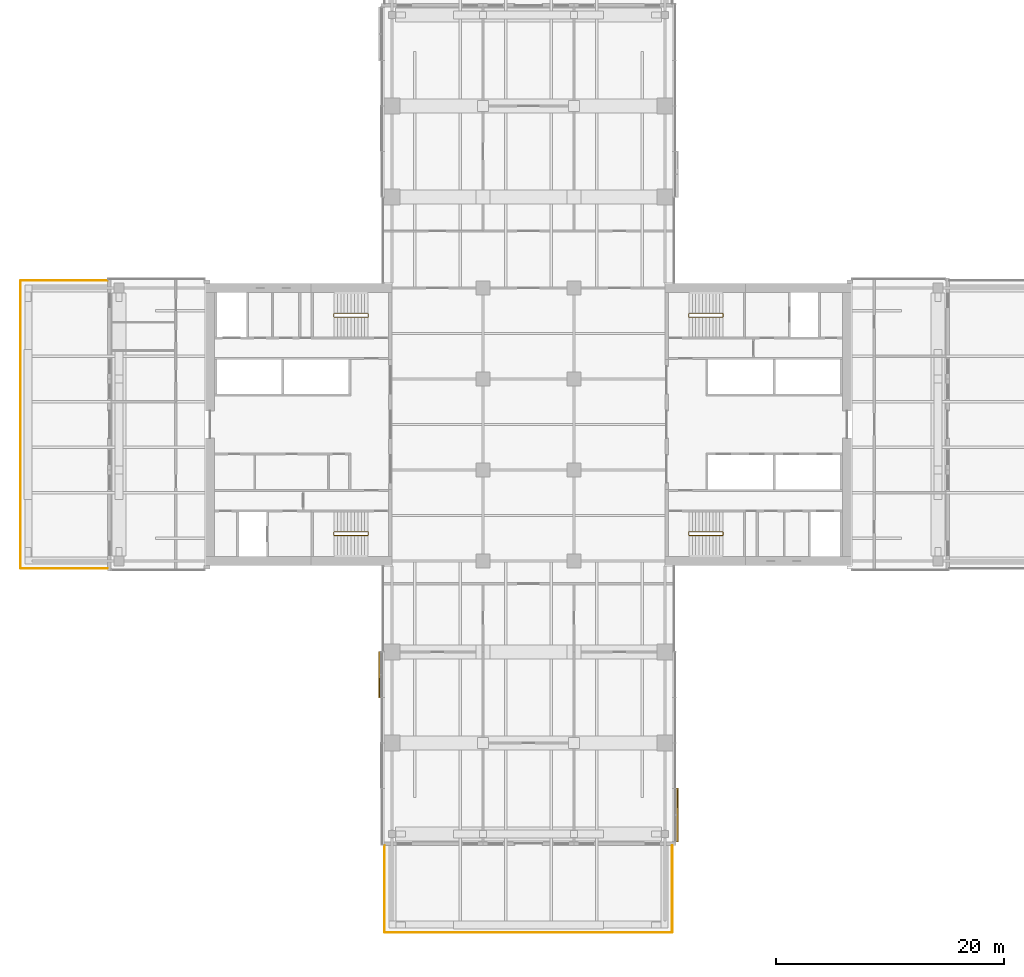
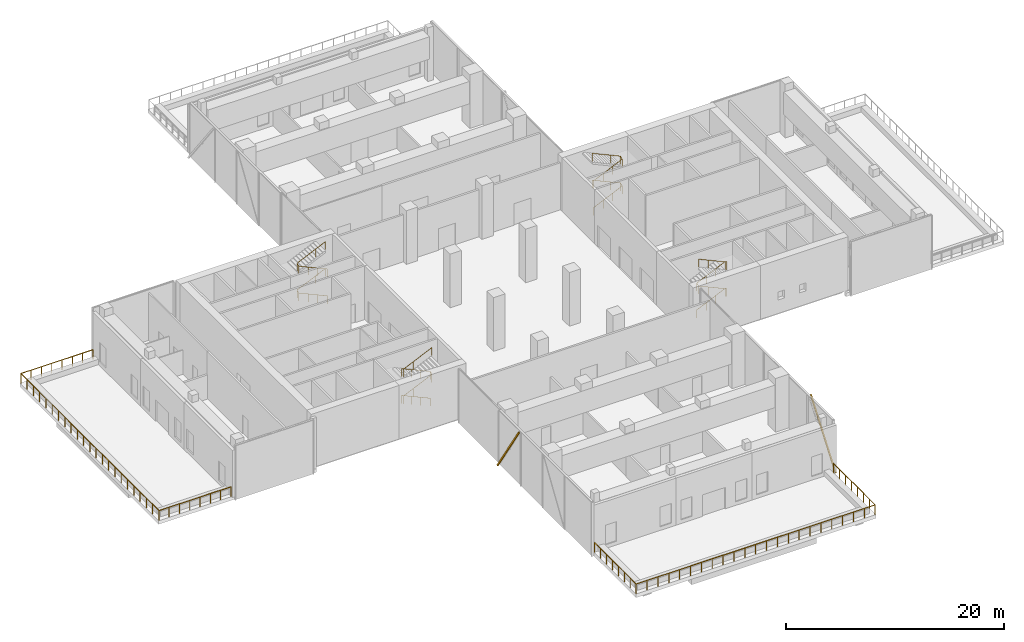
# One storey, part 22 of 23: 6 railings, 2 shading devices, 2 elements without a shape of their own.
"""IFC4 building model written with IfcOpenShell, lengths in metres."""

from ifc_helpers import new_model, si_unit, direction, frame, origin, origin_2d, place, context, subcontext, project, spatial, rectangle, circle, extrude, material, material_profile, profile_set, type_object, element, aggregate, save


model = new_model("IFC4")

# Units and contexts
model_context = context("Model", 3, precision=1e-05, world=origin(), true_north=direction((0.0, 1.0)))
body_context = subcontext(model_context, "Body", "Model", "MODEL_VIEW")
ifc_project = project(units=[si_unit("LENGTHUNIT", "METRE"), si_unit("AREAUNIT", "SQUARE_METRE"), si_unit("VOLUMEUNIT", "CUBIC_METRE"), si_unit("PLANEANGLEUNIT", "RADIAN"), si_unit("MASSUNIT", "GRAM", prefix="KILO")], contexts=[model_context])

# Site, building, storey
site_placement = place(None, origin())
site = spatial("IfcSite", under=ifc_project, at=site_placement, CompositionType="ELEMENT")
building_placement = place(site_placement, origin())
building = spatial("IfcBuilding", under=site, at=building_placement, Name="Crosswind Convention Tower", CompositionType="ELEMENT")
storey_placement = place(building_placement, frame((0.0, 0.0, 47.5)))
storey = spatial("IfcBuildingStorey", under=building, at=storey_placement, Name="L06", CompositionType="ELEMENT", Elevation=47.5)

# Railings
ifc_material_1 = material(Name="Stainless steel", Category="steel")
railing_type_1 = type_object("IfcRailingType", Name="Stair handrail 900", PredefinedType="HANDRAIL", material=ifc_material_1)
railing_1_placement = place(storey_placement, frame((139.10009765625, 109.43994140625, 0.136474609375)))
element("IfcRailing", 1, at=railing_1_placement, inside=storey, type_object=railing_type_1, Name="Stair ST1 handrail L06", PredefinedType="HANDRAIL", context=body_context, shape_type="SweptSolid", body=[
    extrude(circle(Radius=0.02392578125, at=origin_2d()), frame((0.0, 0.0, 0.8759765625), z_axis=(0.910379163139, 0.0, 0.413775034678), x_axis=(0.0, 1.0, 0.0)), (0.0, 0.0, 1.0), 3.29541015625),
    extrude(circle(Radius=0.02392578125, at=origin_2d()), frame((3.0, 0.0, 2.2392578125), z_axis=(0.0, 0.919869319323, 0.39222498055), x_axis=(-1.0, 0.0, 0.0)), (0.0, 0.0, 1.0), 0.347900390625),
    extrude(circle(Radius=0.02392578125, at=origin_2d()), frame((3.0, 0.320068359375, 2.3759765625), z_axis=(-0.910379163139, 0.0, 0.413775034678), x_axis=(0.0, -1.0, 0.0)), (0.0, 0.0, 1.0), 3.29541015625),
    extrude(circle(Radius=0.02392578125, at=origin_2d()), frame((0.0, 0.320068359375, 3.7392578125), z_axis=(0.0, -0.919869319323, 0.39222498055), x_axis=(1.0, 0.0, 0.0)), (0.0, 0.0, 1.0), 0.347900390625),
    extrude(circle(Radius=0.02392578125, at=origin_2d()), frame((0.0, 0.0, 3.8759765625), z_axis=(0.910379163139, 0.0, 0.413775034678), x_axis=(0.0, 1.0, 0.0)), (0.0, 0.0, 1.0), 3.29541015625),
    extrude(circle(Radius=0.02392578125, at=origin_2d()), frame((3.0, 0.0, 5.2392578125), z_axis=(0.0, 0.919869319323, 0.39222498055), x_axis=(-1.0, 0.0, 0.0)), (0.0, 0.0, 1.0), 0.347900390625),
    extrude(circle(Radius=0.02392578125, at=origin_2d()), frame((3.0, 0.320068359375, 5.3759765625), z_axis=(-0.910379163139, 0.0, 0.413775034678), x_axis=(0.0, -1.0, 0.0)), (0.0, 0.0, 1.0), 3.29541015625),
    extrude(circle(Radius=0.02099609375, at=origin_2d()), origin(), (0.0, 0.0, 1.0), 0.851806640625),
    extrude(circle(Radius=0.02099609375, at=origin_2d()), frame((1.0, 0.0, 0.45458984375)), (0.0, 0.0, 1.0), 0.851806640625),
    extrude(circle(Radius=0.02099609375, at=origin_2d()), frame((2.0, 0.0, 0.908935546875)), (0.0, 0.0, 1.0), 0.851806640625),
    extrude(circle(Radius=0.02099609375, at=origin_2d()), frame((3.0, 0.0, 1.363525390625)), (0.0, 0.0, 1.0), 0.851806640625),
    extrude(circle(Radius=0.02099609375, at=origin_2d()), frame((3.0, 0.320068359375, 1.5)), (0.0, 0.0, 1.0), 0.851806640625),
    extrude(circle(Radius=0.02099609375, at=origin_2d()), frame((2.0, 0.320068359375, 1.95458984375)), (0.0, 0.0, 1.0), 0.851806640625),
    extrude(circle(Radius=0.02099609375, at=origin_2d()), frame((1.0, 0.320068359375, 2.408935546875)), (0.0, 0.0, 1.0), 0.851806640625),
    extrude(circle(Radius=0.02099609375, at=origin_2d()), frame((0.0, 0.320068359375, 2.863525390625)), (0.0, 0.0, 1.0), 0.851806640625),
    extrude(circle(Radius=0.02099609375, at=origin_2d()), frame((0.0, 0.0, 3.0)), (0.0, 0.0, 1.0), 0.851806640625),
    extrude(circle(Radius=0.02099609375, at=origin_2d()), frame((1.0, 0.0, 3.45458984375)), (0.0, 0.0, 1.0), 0.851806640625),
    extrude(circle(Radius=0.02099609375, at=origin_2d()), frame((2.0, 0.0, 3.908935546875)), (0.0, 0.0, 1.0), 0.851806640625),
    extrude(circle(Radius=0.02099609375, at=origin_2d()), frame((3.0, 0.0, 4.363525390625)), (0.0, 0.0, 1.0), 0.851806640625),
    extrude(circle(Radius=0.02099609375, at=origin_2d()), frame((3.0, 0.320068359375, 4.5)), (0.0, 0.0, 1.0), 0.851806640625),
    extrude(circle(Radius=0.02099609375, at=origin_2d()), frame((2.0, 0.320068359375, 4.95458984375)), (0.0, 0.0, 1.0), 0.851806640625),
    extrude(circle(Radius=0.02099609375, at=origin_2d()), frame((1.0, 0.320068359375, 5.408935546875)), (0.0, 0.0, 1.0), 0.851806640625),
    extrude(circle(Radius=0.02099609375, at=origin_2d()), frame((0.0, 0.320068359375, 5.863525390625)), (0.0, 0.0, 1.0), 0.851806640625),
])
railing_2_placement = place(storey_placement, frame((139.10009765625, 90.56005859375, 0.136474609375)))
element("IfcRailing", 2, at=railing_2_placement, inside=storey, type_object=railing_type_1, Name="Stair ST2 handrail L06", PredefinedType="HANDRAIL", context=body_context, shape_type="SweptSolid", body=[
    extrude(circle(Radius=0.02392578125, at=origin_2d()), frame((0.0, 0.0, 0.8759765625), z_axis=(0.910379163139, 0.0, 0.413775034678), x_axis=(0.0, 1.0, 0.0)), (0.0, 0.0, 1.0), 3.29541015625),
    extrude(circle(Radius=0.02392578125, at=origin_2d()), frame((3.0, 0.0, 2.2392578125), z_axis=(0.0, -0.919869319323, 0.39222498055), x_axis=(1.0, 0.0, 0.0)), (0.0, 0.0, 1.0), 0.347900390625),
    extrude(circle(Radius=0.02392578125, at=origin_2d()), frame((3.0, -0.320068359375, 2.3759765625), z_axis=(-0.910379163139, 0.0, 0.413775034678), x_axis=(0.0, -1.0, 0.0)), (0.0, 0.0, 1.0), 3.29541015625),
    extrude(circle(Radius=0.02392578125, at=origin_2d()), frame((0.0, -0.320068359375, 3.7392578125), z_axis=(0.0, 0.919869319323, 0.39222498055), x_axis=(-1.0, 0.0, 0.0)), (0.0, 0.0, 1.0), 0.347900390625),
    extrude(circle(Radius=0.02392578125, at=origin_2d()), frame((0.0, 0.0, 3.8759765625), z_axis=(0.910379163139, 0.0, 0.413775034678), x_axis=(0.0, 1.0, 0.0)), (0.0, 0.0, 1.0), 3.29541015625),
    extrude(circle(Radius=0.02392578125, at=origin_2d()), frame((3.0, 0.0, 5.2392578125), z_axis=(0.0, -0.919869319323, 0.39222498055), x_axis=(1.0, 0.0, 0.0)), (0.0, 0.0, 1.0), 0.347900390625),
    extrude(circle(Radius=0.02392578125, at=origin_2d()), frame((3.0, -0.320068359375, 5.3759765625), z_axis=(-0.910379163139, 0.0, 0.413775034678), x_axis=(0.0, -1.0, 0.0)), (0.0, 0.0, 1.0), 3.29541015625),
    extrude(circle(Radius=0.02099609375, at=origin_2d()), origin(), (0.0, 0.0, 1.0), 0.851806640625),
    extrude(circle(Radius=0.02099609375, at=origin_2d()), frame((1.0, 0.0, 0.45458984375)), (0.0, 0.0, 1.0), 0.851806640625),
    extrude(circle(Radius=0.02099609375, at=origin_2d()), frame((2.0, 0.0, 0.908935546875)), (0.0, 0.0, 1.0), 0.851806640625),
    extrude(circle(Radius=0.02099609375, at=origin_2d()), frame((3.0, 0.0, 1.363525390625)), (0.0, 0.0, 1.0), 0.851806640625),
    extrude(circle(Radius=0.02099609375, at=origin_2d()), frame((3.0, -0.320068359375, 1.5)), (0.0, 0.0, 1.0), 0.851806640625),
    extrude(circle(Radius=0.02099609375, at=origin_2d()), frame((2.0, -0.320068359375, 1.95458984375)), (0.0, 0.0, 1.0), 0.851806640625),
    extrude(circle(Radius=0.02099609375, at=origin_2d()), frame((1.0, -0.320068359375, 2.408935546875)), (0.0, 0.0, 1.0), 0.851806640625),
    extrude(circle(Radius=0.02099609375, at=origin_2d()), frame((0.0, -0.320068359375, 2.863525390625)), (0.0, 0.0, 1.0), 0.851806640625),
    extrude(circle(Radius=0.02099609375, at=origin_2d()), frame((0.0, 0.0, 3.0)), (0.0, 0.0, 1.0), 0.851806640625),
    extrude(circle(Radius=0.02099609375, at=origin_2d()), frame((1.0, 0.0, 3.45458984375)), (0.0, 0.0, 1.0), 0.851806640625),
    extrude(circle(Radius=0.02099609375, at=origin_2d()), frame((2.0, 0.0, 3.908935546875)), (0.0, 0.0, 1.0), 0.851806640625),
    extrude(circle(Radius=0.02099609375, at=origin_2d()), frame((3.0, 0.0, 4.363525390625)), (0.0, 0.0, 1.0), 0.851806640625),
    extrude(circle(Radius=0.02099609375, at=origin_2d()), frame((3.0, -0.320068359375, 4.5)), (0.0, 0.0, 1.0), 0.851806640625),
    extrude(circle(Radius=0.02099609375, at=origin_2d()), frame((2.0, -0.320068359375, 4.95458984375)), (0.0, 0.0, 1.0), 0.851806640625),
    extrude(circle(Radius=0.02099609375, at=origin_2d()), frame((1.0, -0.320068359375, 5.408935546875)), (0.0, 0.0, 1.0), 0.851806640625),
    extrude(circle(Radius=0.02099609375, at=origin_2d()), frame((0.0, -0.320068359375, 5.863525390625)), (0.0, 0.0, 1.0), 0.851806640625),
])
railing_3_placement = place(storey_placement, frame((110.89990234375, 90.56005859375, 0.136474609375)))
element("IfcRailing", 3, at=railing_3_placement, inside=storey, type_object=railing_type_1, Name="Stair ST3 handrail L06", PredefinedType="HANDRAIL", context=body_context, shape_type="SweptSolid", body=[
    extrude(circle(Radius=0.02392578125, at=origin_2d()), frame((0.0, 0.0, 0.8759765625), z_axis=(-0.910379163139, 0.0, 0.413775034678), x_axis=(0.0, -1.0, 0.0)), (0.0, 0.0, 1.0), 3.29541015625),
    extrude(circle(Radius=0.02392578125, at=origin_2d()), frame((-3.0, 0.0, 2.2392578125), z_axis=(0.0, -0.919869319323, 0.39222498055), x_axis=(1.0, 0.0, 0.0)), (0.0, 0.0, 1.0), 0.347900390625),
    extrude(circle(Radius=0.02392578125, at=origin_2d()), frame((-3.0, -0.320068359375, 2.3759765625), z_axis=(0.910379163139, 0.0, 0.413775034678), x_axis=(0.0, 1.0, 0.0)), (0.0, 0.0, 1.0), 3.29541015625),
    extrude(circle(Radius=0.02392578125, at=origin_2d()), frame((0.0, -0.320068359375, 3.7392578125), z_axis=(0.0, 0.919869319323, 0.39222498055), x_axis=(-1.0, 0.0, 0.0)), (0.0, 0.0, 1.0), 0.347900390625),
    extrude(circle(Radius=0.02392578125, at=origin_2d()), frame((0.0, 0.0, 3.8759765625), z_axis=(-0.910379163139, 0.0, 0.413775034678), x_axis=(0.0, -1.0, 0.0)), (0.0, 0.0, 1.0), 3.29541015625),
    extrude(circle(Radius=0.02392578125, at=origin_2d()), frame((-3.0, 0.0, 5.2392578125), z_axis=(0.0, -0.919869319323, 0.39222498055), x_axis=(1.0, 0.0, 0.0)), (0.0, 0.0, 1.0), 0.347900390625),
    extrude(circle(Radius=0.02392578125, at=origin_2d()), frame((-3.0, -0.320068359375, 5.3759765625), z_axis=(0.910379163139, 0.0, 0.413775034678), x_axis=(0.0, 1.0, 0.0)), (0.0, 0.0, 1.0), 3.29541015625),
    extrude(circle(Radius=0.02099609375, at=origin_2d()), origin(), (0.0, 0.0, 1.0), 0.851806640625),
    extrude(circle(Radius=0.02099609375, at=origin_2d()), frame((-1.0, 0.0, 0.45458984375)), (0.0, 0.0, 1.0), 0.851806640625),
    extrude(circle(Radius=0.02099609375, at=origin_2d()), frame((-2.0, 0.0, 0.908935546875)), (0.0, 0.0, 1.0), 0.851806640625),
    extrude(circle(Radius=0.02099609375, at=origin_2d()), frame((-3.0, 0.0, 1.363525390625)), (0.0, 0.0, 1.0), 0.851806640625),
    extrude(circle(Radius=0.02099609375, at=origin_2d()), frame((-3.0, -0.320068359375, 1.5)), (0.0, 0.0, 1.0), 0.851806640625),
    extrude(circle(Radius=0.02099609375, at=origin_2d()), frame((-2.0, -0.320068359375, 1.95458984375)), (0.0, 0.0, 1.0), 0.851806640625),
    extrude(circle(Radius=0.02099609375, at=origin_2d()), frame((-1.0, -0.320068359375, 2.408935546875)), (0.0, 0.0, 1.0), 0.851806640625),
    extrude(circle(Radius=0.02099609375, at=origin_2d()), frame((0.0, -0.320068359375, 2.863525390625)), (0.0, 0.0, 1.0), 0.851806640625),
    extrude(circle(Radius=0.02099609375, at=origin_2d()), frame((0.0, 0.0, 3.0)), (0.0, 0.0, 1.0), 0.851806640625),
    extrude(circle(Radius=0.02099609375, at=origin_2d()), frame((-1.0, 0.0, 3.45458984375)), (0.0, 0.0, 1.0), 0.851806640625),
    extrude(circle(Radius=0.02099609375, at=origin_2d()), frame((-2.0, 0.0, 3.908935546875)), (0.0, 0.0, 1.0), 0.851806640625),
    extrude(circle(Radius=0.02099609375, at=origin_2d()), frame((-3.0, 0.0, 4.363525390625)), (0.0, 0.0, 1.0), 0.851806640625),
    extrude(circle(Radius=0.02099609375, at=origin_2d()), frame((-3.0, -0.320068359375, 4.5)), (0.0, 0.0, 1.0), 0.851806640625),
    extrude(circle(Radius=0.02099609375, at=origin_2d()), frame((-2.0, -0.320068359375, 4.95458984375)), (0.0, 0.0, 1.0), 0.851806640625),
    extrude(circle(Radius=0.02099609375, at=origin_2d()), frame((-1.0, -0.320068359375, 5.408935546875)), (0.0, 0.0, 1.0), 0.851806640625),
    extrude(circle(Radius=0.02099609375, at=origin_2d()), frame((0.0, -0.320068359375, 5.863525390625)), (0.0, 0.0, 1.0), 0.851806640625),
])
railing_4_placement = place(storey_placement, frame((110.89990234375, 109.43994140625, 0.136474609375)))
element("IfcRailing", 4, at=railing_4_placement, inside=storey, type_object=railing_type_1, Name="Stair ST4 handrail L06", PredefinedType="HANDRAIL", context=body_context, shape_type="SweptSolid", body=[
    extrude(circle(Radius=0.02392578125, at=origin_2d()), frame((0.0, 0.0, 0.8759765625), z_axis=(-0.910379163139, 0.0, 0.413775034678), x_axis=(0.0, -1.0, 0.0)), (0.0, 0.0, 1.0), 3.29541015625),
    extrude(circle(Radius=0.02392578125, at=origin_2d()), frame((-3.0, 0.0, 2.2392578125), z_axis=(0.0, 0.919869319323, 0.39222498055), x_axis=(-1.0, 0.0, 0.0)), (0.0, 0.0, 1.0), 0.347900390625),
    extrude(circle(Radius=0.02392578125, at=origin_2d()), frame((-3.0, 0.320068359375, 2.3759765625), z_axis=(0.910379163139, 0.0, 0.413775034678), x_axis=(0.0, 1.0, 0.0)), (0.0, 0.0, 1.0), 3.29541015625),
    extrude(circle(Radius=0.02392578125, at=origin_2d()), frame((0.0, 0.320068359375, 3.7392578125), z_axis=(0.0, -0.919869319323, 0.39222498055), x_axis=(1.0, 0.0, 0.0)), (0.0, 0.0, 1.0), 0.347900390625),
    extrude(circle(Radius=0.02392578125, at=origin_2d()), frame((0.0, 0.0, 3.8759765625), z_axis=(-0.910379163139, 0.0, 0.413775034678), x_axis=(0.0, -1.0, 0.0)), (0.0, 0.0, 1.0), 3.29541015625),
    extrude(circle(Radius=0.02392578125, at=origin_2d()), frame((-3.0, 0.0, 5.2392578125), z_axis=(0.0, 0.919869319323, 0.39222498055), x_axis=(-1.0, 0.0, 0.0)), (0.0, 0.0, 1.0), 0.347900390625),
    extrude(circle(Radius=0.02392578125, at=origin_2d()), frame((-3.0, 0.320068359375, 5.3759765625), z_axis=(0.910379163139, 0.0, 0.413775034678), x_axis=(0.0, 1.0, 0.0)), (0.0, 0.0, 1.0), 3.29541015625),
    extrude(circle(Radius=0.02099609375, at=origin_2d()), origin(), (0.0, 0.0, 1.0), 0.851806640625),
    extrude(circle(Radius=0.02099609375, at=origin_2d()), frame((-1.0, 0.0, 0.45458984375)), (0.0, 0.0, 1.0), 0.851806640625),
    extrude(circle(Radius=0.02099609375, at=origin_2d()), frame((-2.0, 0.0, 0.908935546875)), (0.0, 0.0, 1.0), 0.851806640625),
    extrude(circle(Radius=0.02099609375, at=origin_2d()), frame((-3.0, 0.0, 1.363525390625)), (0.0, 0.0, 1.0), 0.851806640625),
    extrude(circle(Radius=0.02099609375, at=origin_2d()), frame((-3.0, 0.320068359375, 1.5)), (0.0, 0.0, 1.0), 0.851806640625),
    extrude(circle(Radius=0.02099609375, at=origin_2d()), frame((-2.0, 0.320068359375, 1.95458984375)), (0.0, 0.0, 1.0), 0.851806640625),
    extrude(circle(Radius=0.02099609375, at=origin_2d()), frame((-1.0, 0.320068359375, 2.408935546875)), (0.0, 0.0, 1.0), 0.851806640625),
    extrude(circle(Radius=0.02099609375, at=origin_2d()), frame((0.0, 0.320068359375, 2.863525390625)), (0.0, 0.0, 1.0), 0.851806640625),
    extrude(circle(Radius=0.02099609375, at=origin_2d()), frame((0.0, 0.0, 3.0)), (0.0, 0.0, 1.0), 0.851806640625),
    extrude(circle(Radius=0.02099609375, at=origin_2d()), frame((-1.0, 0.0, 3.45458984375)), (0.0, 0.0, 1.0), 0.851806640625),
    extrude(circle(Radius=0.02099609375, at=origin_2d()), frame((-2.0, 0.0, 3.908935546875)), (0.0, 0.0, 1.0), 0.851806640625),
    extrude(circle(Radius=0.02099609375, at=origin_2d()), frame((-3.0, 0.0, 4.363525390625)), (0.0, 0.0, 1.0), 0.851806640625),
    extrude(circle(Radius=0.02099609375, at=origin_2d()), frame((-3.0, 0.320068359375, 4.5)), (0.0, 0.0, 1.0), 0.851806640625),
    extrude(circle(Radius=0.02099609375, at=origin_2d()), frame((-2.0, 0.320068359375, 4.95458984375)), (0.0, 0.0, 1.0), 0.851806640625),
    extrude(circle(Radius=0.02099609375, at=origin_2d()), frame((-1.0, 0.320068359375, 5.408935546875)), (0.0, 0.0, 1.0), 0.851806640625),
    extrude(circle(Radius=0.02099609375, at=origin_2d()), frame((0.0, 0.320068359375, 5.863525390625)), (0.0, 0.0, 1.0), 0.851806640625),
])
ifc_material_2 = material(Name="Steel and laminated glass guard", Category="steel")
railing_type_2 = type_object("IfcRailingType", Name="TERRACE GUARD 1100", PredefinedType="GUARDRAIL", material=ifc_material_2)
railing_5_placement = place(storey_placement, frame((87.97509765625, 87.360107421875, 0.0)))
element("IfcRailing", 5, at=railing_5_placement, inside=storey, type_object=railing_type_2, Name="R10 terrace guard L06 W 1", PredefinedType="GUARDRAIL", context=body_context, shape_type="SweptSolid", body=[
    extrude(circle(Radius=0.02392578125, at=origin_2d()), frame((0.0, 0.0, 1.076171875), z_axis=(-1.0, 0.0, 0.0), x_axis=(0.0, -1.0, 0.0)), (0.0, 0.0, 1.0), 7.614990234375),
    extrude(circle(Radius=0.02392578125, at=origin_2d()), frame((-7.614990234375, 0.0, 1.076171875), z_axis=(0.0, 1.0, 0.0), x_axis=(-1.0, 0.0, 0.0)), (0.0, 0.0, 1.0), 25.27978515625),
    extrude(circle(Radius=0.02392578125, at=origin_2d()), frame((-7.614990234375, 25.27978515625, 1.076171875), z_axis=(1.0, 0.0, 0.0), x_axis=(0.0, 1.0, 0.0)), (0.0, 0.0, 1.0), 7.614990234375),
    extrude(circle(Radius=0.02099609375, at=origin_2d()), origin(), (0.0, 0.0, 1.0), 1.052001953125),
    extrude(circle(Radius=0.02099609375, at=origin_2d()), frame((-1.087890625, 0.0, 0.0)), (0.0, 0.0, 1.0), 1.052001953125),
    extrude(circle(Radius=0.02099609375, at=origin_2d()), frame((-2.17578125, 0.0, 0.0)), (0.0, 0.0, 1.0), 1.052001953125),
    extrude(circle(Radius=0.02099609375, at=origin_2d()), frame((-3.263671875, 0.0, 0.0)), (0.0, 0.0, 1.0), 1.052001953125),
    extrude(circle(Radius=0.02099609375, at=origin_2d()), frame((-4.351318359375, 0.0, 0.0)), (0.0, 0.0, 1.0), 1.052001953125),
    extrude(circle(Radius=0.02099609375, at=origin_2d()), frame((-5.439208984375, 0.0, 0.0)), (0.0, 0.0, 1.0), 1.052001953125),
    extrude(circle(Radius=0.02099609375, at=origin_2d()), frame((-6.527099609375, 0.0, 0.0)), (0.0, 0.0, 1.0), 1.052001953125),
    extrude(circle(Radius=0.02099609375, at=origin_2d()), frame((-7.614990234375, 0.0, 0.0)), (0.0, 0.0, 1.0), 1.052001953125),
    extrude(circle(Radius=0.02099609375, at=origin_2d()), frame((-7.614990234375, 1.149169921875, 0.0)), (0.0, 0.0, 1.0), 1.052001953125),
    extrude(circle(Radius=0.02099609375, at=origin_2d()), frame((-7.614990234375, 2.298095703125, 0.0)), (0.0, 0.0, 1.0), 1.052001953125),
    extrude(circle(Radius=0.02099609375, at=origin_2d()), frame((-7.614990234375, 3.447265625, 0.0)), (0.0, 0.0, 1.0), 1.052001953125),
    extrude(circle(Radius=0.02099609375, at=origin_2d()), frame((-7.614990234375, 4.596435546875, 0.0)), (0.0, 0.0, 1.0), 1.052001953125),
    extrude(circle(Radius=0.02099609375, at=origin_2d()), frame((-7.614990234375, 5.745361328125, 0.0)), (0.0, 0.0, 1.0), 1.052001953125),
    extrude(circle(Radius=0.02099609375, at=origin_2d()), frame((-7.614990234375, 6.89453125, 0.0)), (0.0, 0.0, 1.0), 1.052001953125),
    extrude(circle(Radius=0.02099609375, at=origin_2d()), frame((-7.614990234375, 8.04345703125, 0.0)), (0.0, 0.0, 1.0), 1.052001953125),
    extrude(circle(Radius=0.02099609375, at=origin_2d()), frame((-7.614990234375, 9.192626953125, 0.0)), (0.0, 0.0, 1.0), 1.052001953125),
    extrude(circle(Radius=0.02099609375, at=origin_2d()), frame((-7.614990234375, 10.341796875, 0.0)), (0.0, 0.0, 1.0), 1.052001953125),
    extrude(circle(Radius=0.02099609375, at=origin_2d()), frame((-7.614990234375, 11.49072265625, 0.0)), (0.0, 0.0, 1.0), 1.052001953125),
    extrude(circle(Radius=0.02099609375, at=origin_2d()), frame((-7.614990234375, 12.639892578125, 0.0)), (0.0, 0.0, 1.0), 1.052001953125),
    extrude(circle(Radius=0.02099609375, at=origin_2d()), frame((-7.614990234375, 13.7890625, 0.0)), (0.0, 0.0, 1.0), 1.052001953125),
    extrude(circle(Radius=0.02099609375, at=origin_2d()), frame((-7.614990234375, 14.93798828125, 0.0)), (0.0, 0.0, 1.0), 1.052001953125),
    extrude(circle(Radius=0.02099609375, at=origin_2d()), frame((-7.614990234375, 16.087158203125, 0.0)), (0.0, 0.0, 1.0), 1.052001953125),
    extrude(circle(Radius=0.02099609375, at=origin_2d()), frame((-7.614990234375, 17.236328125, 0.0)), (0.0, 0.0, 1.0), 1.052001953125),
    extrude(circle(Radius=0.02099609375, at=origin_2d()), frame((-7.614990234375, 18.38525390625, 0.0)), (0.0, 0.0, 1.0), 1.052001953125),
    extrude(circle(Radius=0.02099609375, at=origin_2d()), frame((-7.614990234375, 19.534423828125, 0.0)), (0.0, 0.0, 1.0), 1.052001953125),
    extrude(circle(Radius=0.02099609375, at=origin_2d()), frame((-7.614990234375, 20.683349609375, 0.0)), (0.0, 0.0, 1.0), 1.052001953125),
    extrude(circle(Radius=0.02099609375, at=origin_2d()), frame((-7.614990234375, 21.83251953125, 0.0)), (0.0, 0.0, 1.0), 1.052001953125),
    extrude(circle(Radius=0.02099609375, at=origin_2d()), frame((-7.614990234375, 22.981689453125, 0.0)), (0.0, 0.0, 1.0), 1.052001953125),
    extrude(circle(Radius=0.02099609375, at=origin_2d()), frame((-7.614990234375, 24.130615234375, 0.0)), (0.0, 0.0, 1.0), 1.052001953125),
    extrude(circle(Radius=0.02099609375, at=origin_2d()), frame((-7.614990234375, 25.27978515625, 0.0)), (0.0, 0.0, 1.0), 1.052001953125),
    extrude(circle(Radius=0.02099609375, at=origin_2d()), frame((-6.527099609375, 25.27978515625, 0.0)), (0.0, 0.0, 1.0), 1.052001953125),
    extrude(circle(Radius=0.02099609375, at=origin_2d()), frame((-5.439208984375, 25.27978515625, 0.0)), (0.0, 0.0, 1.0), 1.052001953125),
    extrude(circle(Radius=0.02099609375, at=origin_2d()), frame((-4.351318359375, 25.27978515625, 0.0)), (0.0, 0.0, 1.0), 1.052001953125),
    extrude(circle(Radius=0.02099609375, at=origin_2d()), frame((-3.263671875, 25.27978515625, 0.0)), (0.0, 0.0, 1.0), 1.052001953125),
    extrude(circle(Radius=0.02099609375, at=origin_2d()), frame((-2.17578125, 25.27978515625, 0.0)), (0.0, 0.0, 1.0), 1.052001953125),
    extrude(circle(Radius=0.02099609375, at=origin_2d()), frame((-1.087890625, 25.27978515625, 0.0)), (0.0, 0.0, 1.0), 1.052001953125),
    extrude(circle(Radius=0.02099609375, at=origin_2d()), frame((0.0, 25.27978515625, 0.0)), (0.0, 0.0, 1.0), 1.052001953125),
])
railing_6_placement = place(storey_placement, frame((137.639892578125, 62.97509765625, 0.0)))
element("IfcRailing", 6, at=railing_6_placement, inside=storey, type_object=railing_type_2, Name="R10 terrace guard L06 S 1", PredefinedType="GUARDRAIL", context=body_context, shape_type="SweptSolid", body=[
    extrude(circle(Radius=0.02392578125, at=origin_2d()), frame((0.0, 0.0, 1.076171875), z_axis=(0.0, -1.0, 0.0), x_axis=(1.0, 0.0, 0.0)), (0.0, 0.0, 1.0), 7.614990234375),
    extrude(circle(Radius=0.02392578125, at=origin_2d()), frame((0.0, -7.614990234375, 1.076171875), z_axis=(-1.0, 0.0, 0.0), x_axis=(0.0, -1.0, 0.0)), (0.0, 0.0, 1.0), 25.27978515625),
    extrude(circle(Radius=0.02392578125, at=origin_2d()), frame((-25.27978515625, -7.614990234375, 1.076171875), z_axis=(0.0, 1.0, 0.0), x_axis=(-1.0, 0.0, 0.0)), (0.0, 0.0, 1.0), 7.614990234375),
    extrude(circle(Radius=0.02099609375, at=origin_2d()), origin(), (0.0, 0.0, 1.0), 1.052001953125),
    extrude(circle(Radius=0.02099609375, at=origin_2d()), frame((0.0, -1.087890625, 0.0)), (0.0, 0.0, 1.0), 1.052001953125),
    extrude(circle(Radius=0.02099609375, at=origin_2d()), frame((0.0, -2.17578125, 0.0)), (0.0, 0.0, 1.0), 1.052001953125),
    extrude(circle(Radius=0.02099609375, at=origin_2d()), frame((0.0, -3.263671875, 0.0)), (0.0, 0.0, 1.0), 1.052001953125),
    extrude(circle(Radius=0.02099609375, at=origin_2d()), frame((0.0, -4.351318359375, 0.0)), (0.0, 0.0, 1.0), 1.052001953125),
    extrude(circle(Radius=0.02099609375, at=origin_2d()), frame((0.0, -5.439208984375, 0.0)), (0.0, 0.0, 1.0), 1.052001953125),
    extrude(circle(Radius=0.02099609375, at=origin_2d()), frame((0.0, -6.527099609375, 0.0)), (0.0, 0.0, 1.0), 1.052001953125),
    extrude(circle(Radius=0.02099609375, at=origin_2d()), frame((0.0, -7.614990234375, 0.0)), (0.0, 0.0, 1.0), 1.052001953125),
    extrude(circle(Radius=0.02099609375, at=origin_2d()), frame((-1.149169921875, -7.614990234375, 0.0)), (0.0, 0.0, 1.0), 1.052001953125),
    extrude(circle(Radius=0.02099609375, at=origin_2d()), frame((-2.298095703125, -7.614990234375, 0.0)), (0.0, 0.0, 1.0), 1.052001953125),
    extrude(circle(Radius=0.02099609375, at=origin_2d()), frame((-3.447265625, -7.614990234375, 0.0)), (0.0, 0.0, 1.0), 1.052001953125),
    extrude(circle(Radius=0.02099609375, at=origin_2d()), frame((-4.596435546875, -7.614990234375, 0.0)), (0.0, 0.0, 1.0), 1.052001953125),
    extrude(circle(Radius=0.02099609375, at=origin_2d()), frame((-5.745361328125, -7.614990234375, 0.0)), (0.0, 0.0, 1.0), 1.052001953125),
    extrude(circle(Radius=0.02099609375, at=origin_2d()), frame((-6.89453125, -7.614990234375, 0.0)), (0.0, 0.0, 1.0), 1.052001953125),
    extrude(circle(Radius=0.02099609375, at=origin_2d()), frame((-8.04345703125, -7.614990234375, 0.0)), (0.0, 0.0, 1.0), 1.052001953125),
    extrude(circle(Radius=0.02099609375, at=origin_2d()), frame((-9.192626953125, -7.614990234375, 0.0)), (0.0, 0.0, 1.0), 1.052001953125),
    extrude(circle(Radius=0.02099609375, at=origin_2d()), frame((-10.341796875, -7.614990234375, 0.0)), (0.0, 0.0, 1.0), 1.052001953125),
    extrude(circle(Radius=0.02099609375, at=origin_2d()), frame((-11.49072265625, -7.614990234375, 0.0)), (0.0, 0.0, 1.0), 1.052001953125),
    extrude(circle(Radius=0.02099609375, at=origin_2d()), frame((-12.639892578125, -7.614990234375, 0.0)), (0.0, 0.0, 1.0), 1.052001953125),
    extrude(circle(Radius=0.02099609375, at=origin_2d()), frame((-13.7890625, -7.614990234375, 0.0)), (0.0, 0.0, 1.0), 1.052001953125),
    extrude(circle(Radius=0.02099609375, at=origin_2d()), frame((-14.93798828125, -7.614990234375, 0.0)), (0.0, 0.0, 1.0), 1.052001953125),
    extrude(circle(Radius=0.02099609375, at=origin_2d()), frame((-16.087158203125, -7.614990234375, 0.0)), (0.0, 0.0, 1.0), 1.052001953125),
    extrude(circle(Radius=0.02099609375, at=origin_2d()), frame((-17.236328125, -7.614990234375, 0.0)), (0.0, 0.0, 1.0), 1.052001953125),
    extrude(circle(Radius=0.02099609375, at=origin_2d()), frame((-18.38525390625, -7.614990234375, 0.0)), (0.0, 0.0, 1.0), 1.052001953125),
    extrude(circle(Radius=0.02099609375, at=origin_2d()), frame((-19.534423828125, -7.614990234375, 0.0)), (0.0, 0.0, 1.0), 1.052001953125),
    extrude(circle(Radius=0.02099609375, at=origin_2d()), frame((-20.683349609375, -7.614990234375, 0.0)), (0.0, 0.0, 1.0), 1.052001953125),
    extrude(circle(Radius=0.02099609375, at=origin_2d()), frame((-21.83251953125, -7.614990234375, 0.0)), (0.0, 0.0, 1.0), 1.052001953125),
    extrude(circle(Radius=0.02099609375, at=origin_2d()), frame((-22.981689453125, -7.614990234375, 0.0)), (0.0, 0.0, 1.0), 1.052001953125),
    extrude(circle(Radius=0.02099609375, at=origin_2d()), frame((-24.130615234375, -7.614990234375, 0.0)), (0.0, 0.0, 1.0), 1.052001953125),
    extrude(circle(Radius=0.02099609375, at=origin_2d()), frame((-25.27978515625, -7.614990234375, 0.0)), (0.0, 0.0, 1.0), 1.052001953125),
    extrude(circle(Radius=0.02099609375, at=origin_2d()), frame((-25.27978515625, -6.527099609375, 0.0)), (0.0, 0.0, 1.0), 1.052001953125),
    extrude(circle(Radius=0.02099609375, at=origin_2d()), frame((-25.27978515625, -5.439208984375, 0.0)), (0.0, 0.0, 1.0), 1.052001953125),
    extrude(circle(Radius=0.02099609375, at=origin_2d()), frame((-25.27978515625, -4.351318359375, 0.0)), (0.0, 0.0, 1.0), 1.052001953125),
    extrude(circle(Radius=0.02099609375, at=origin_2d()), frame((-25.27978515625, -3.263671875, 0.0)), (0.0, 0.0, 1.0), 1.052001953125),
    extrude(circle(Radius=0.02099609375, at=origin_2d()), frame((-25.27978515625, -2.17578125, 0.0)), (0.0, 0.0, 1.0), 1.052001953125),
    extrude(circle(Radius=0.02099609375, at=origin_2d()), frame((-25.27978515625, -1.087890625, 0.0)), (0.0, 0.0, 1.0), 1.052001953125),
    extrude(circle(Radius=0.02099609375, at=origin_2d()), frame((-25.27978515625, 0.0, 0.0)), (0.0, 0.0, 1.0), 1.052001953125),
])

# Curtain wall, shading device
ifc_material_3 = material(Name="Aluminium unitised curtain wall", Category="aluminium")
curtain_wall_type = type_object("IfcCurtainWallType", Name="SKY LOBBY AND LOUNGE WALL 280", PredefinedType="USERDEFINED", material=ifc_material_3)
curtain_wall_1_placement = place(storey_placement, origin())
curtain_wall_1 = element("IfcCurtainWall", 7, at=curtain_wall_1_placement, inside=storey, type_object=curtain_wall_type, Name="CW4 L06 S-W 1", ObjectType="UNITISED", PredefinedType="USERDEFINED")
ifc_material_4 = material(Name="Extruded terracotta", Category="masonry")
ifc_material_profile = material_profile(ifc_material_4, rectangle(XDim=0.1298828125, YDim=0.14990234375, at=origin_2d()), Name="TC 130X150")
ifc_profile_set = profile_set([ifc_material_profile], Name="Extruded terracotta")
shading_device_type = type_object("IfcShadingDeviceType", Name="TERRACOTTA BAGUETTE 150X130", PredefinedType="USERDEFINED", material=ifc_profile_set)
shading_device_1_placement = place(storey_placement, frame((111.9130859375, 79.96240234375, -0.39990234375), z_axis=(0.0, -0.544559644323, 0.838722119522), x_axis=(1.0, 0.0, 0.0)))
shading_device_1 = element("IfcShadingDevice", 8, at=shading_device_1_placement, type_object=shading_device_type, Name="CW4 terracotta baguette 1", ObjectType="BAGUETTE", PredefinedType="USERDEFINED", context=body_context, shape_type="SweptSolid", body=[
    extrude(rectangle(XDim=0.1298828125, YDim=0.14990234375, at=origin_2d()), origin(), (0.0, 0.0, 1.0), 7.207275390625),
])
aggregate(curtain_wall_1, [shading_device_1])

curtain_wall_2_placement = place(storey_placement, origin())
curtain_wall_2 = element("IfcCurtainWall", 9, at=curtain_wall_2_placement, inside=storey, type_object=curtain_wall_type, Name="CW4 L06 S-E 1", ObjectType="UNITISED", PredefinedType="USERDEFINED")
shading_device_2_placement = place(storey_placement, frame((138.0869140625, 63.375, -0.39990234375), z_axis=(0.0, 0.604520261666, 0.796589764707), x_axis=(-1.0, 0.0, 0.0)))
shading_device_2 = element("IfcShadingDevice", 10, at=shading_device_2_placement, type_object=shading_device_type, Name="CW4 terracotta baguette 1", ObjectType="BAGUETTE", PredefinedType="USERDEFINED", context=body_context, shape_type="SweptSolid", body=[
    extrude(rectangle(XDim=0.1298828125, YDim=0.14990234375, at=origin_2d()), origin(), (0.0, 0.0, 1.0), 7.58837890625),
])
aggregate(curtain_wall_2, [shading_device_2])

save(model, "model.ifc")
